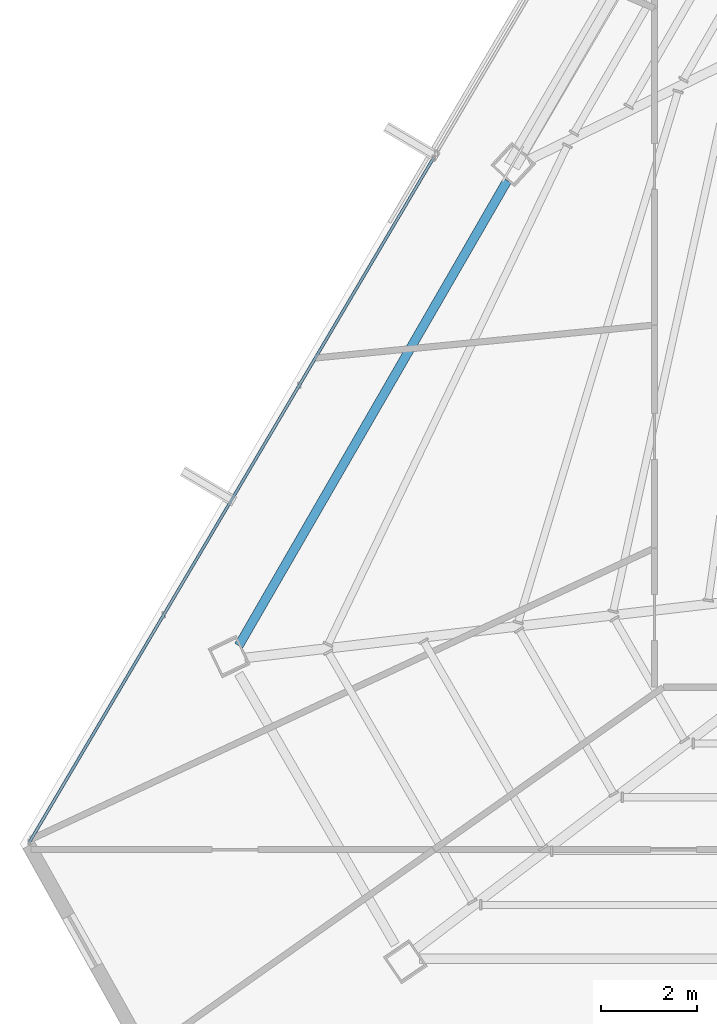
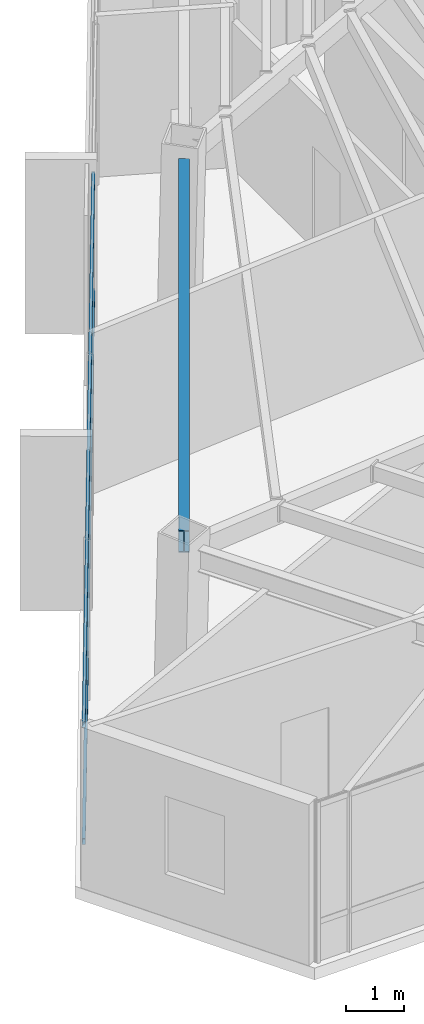
# One storey, part 8 of 45: 2 members, 1 beam, 1 element without a shape of its own.
"""IFC4 building model written with IfcOpenShell, lengths in metres."""

from ifc_helpers import new_model, si_unit, direction, frame, origin, origin_2d, place, context, subcontext, project, spatial, hollow_rectangle, i_section, extrude, source, transform, mapped, material, material_profile, profile_set, type_object, type_shapes, element, aggregate, save


model = new_model("IFC4")

# Units and contexts
model_context = context("Model", 3, precision=1e-05, world=origin(), true_north=direction((0.0, 1.0)))
body_context = subcontext(model_context, "Body", "Model", "MODEL_VIEW")
ifc_project = project(units=[si_unit("LENGTHUNIT", "METRE"), si_unit("AREAUNIT", "SQUARE_METRE"), si_unit("VOLUMEUNIT", "CUBIC_METRE"), si_unit("PLANEANGLEUNIT", "RADIAN"), si_unit("MASSUNIT", "GRAM", prefix="KILO")], contexts=[model_context])

# Site, building, storey
site_placement = place(None, origin())
site = spatial("IfcSite", under=ifc_project, at=site_placement, CompositionType="ELEMENT")
building_placement = place(site_placement, origin())
building = spatial("IfcBuilding", under=site, at=building_placement, Name="Caelisora Broadcast Tower", CompositionType="ELEMENT")
storey_placement = place(building_placement, frame((0.0, 0.0, 262.699951171875)))
storey = spatial("IfcBuildingStorey", under=building, at=storey_placement, Name="L69", CompositionType="ELEMENT", Elevation=262.699951171875)

# Beam
ifc_material_1 = material(Name="Steel Grade 350 (AS/NZS 3679.1)", Category="steel")
ifc_material_profile_1 = material_profile(ifc_material_1, i_section(OverallWidth=0.19091796875, OverallDepth=0.46044921875, WebThickness=0.010009765625, FlangeThickness=0.01611328125, at=origin_2d()), Name="Steel Grade 350 (AS/NZS 3679.1)")
ifc_profile_set_1 = profile_set([ifc_material_profile_1], Name="Steel Grade 350 (AS/NZS 3679.1)")
beam_type = type_object("IfcBeamType", Name="PG06", PredefinedType="BEAM", material=ifc_profile_set_1)
shared_shape_1 = source(origin(), body_context, "Body", "SweptSolid", [
    extrude(i_section(OverallWidth=0.19091796875, OverallDepth=0.46044921875, WebThickness=0.010009765625, FlangeThickness=0.01611328125, at=origin_2d()), origin(), (0.0, 0.0, 1.0), 11.22265625),
])
type_shapes(beam_type, [shared_shape_1])
beam_placement = place(storey_placement, frame((22.32421875, 25.79052734375, 3.169921875), z_axis=(-0.500004293243, -0.866022925065, 0.0), x_axis=(0.866022925065, -0.500004293243, 0.0)))
element("IfcBeam", 1, at=beam_placement, inside=storey, type_object=beam_type, Name="L69 beam PG06", PredefinedType="BEAM", context=body_context, shape_type="MappedRepresentation", body=[
    mapped(shared_shape_1, transform((0.0, 0.0, 0.0), scale=1.0)),
])

# Curtain wall, members
ifc_material_2 = material(Name="Unitised Aluminium and Low-E Glass Curtain Wall", Category="glass")
curtain_wall_type = type_object("IfcCurtainWallType", Name="CW-Z5", PredefinedType="NOTDEFINED", material=ifc_material_2)
curtain_wall_placement = place(storey_placement, origin())
curtain_wall = element("IfcCurtainWall", 2, at=curtain_wall_placement, inside=storey, type_object=curtain_wall_type, Name="L69 curtain wall CW-Z5", PredefinedType="NOTDEFINED")
ifc_material_3 = material(Name="Aluminium 6063-T6 Anodised Terracotta Bronze", Category="aluminium")
ifc_material_profile_2 = material_profile(ifc_material_3, hollow_rectangle(XDim=0.06005859375, YDim=0.1201171875, WallThickness=0.0029296875, at=origin_2d()), Name="Aluminium 6063-T6 Anodised Terracotta Bronze")
ifc_profile_set_2 = profile_set([ifc_material_profile_2], Name="Aluminium 6063-T6 Anodised Terracotta Bronze")
member_type = type_object("IfcMemberType", Name="CWT-03", PredefinedType="USERDEFINED", material=ifc_profile_set_2)
shared_shape_2 = source(origin(), body_context, "Body", "SweptSolid", [
    extrude(hollow_rectangle(XDim=0.06005859375, YDim=0.1201171875, WallThickness=0.0029296875, at=origin_2d()), origin(), (0.0, 0.0, 1.0), 16.604248046875),
])
type_shapes(member_type, [shared_shape_2])
member_1_placement = place(storey_placement, frame((12.34033203125, 11.966064453125, 0.85009765625), z_axis=(0.508508854229, 0.861056760714, 0.0), x_axis=(-0.861056760714, 0.508508854229, 0.0)))
member_1 = element("IfcMember", 3, at=member_1_placement, type_object=member_type, Name="L69-CW-B09 transom #1", ObjectType="TRANSOM", PredefinedType="USERDEFINED", context=body_context, shape_type="MappedRepresentation", body=[
    mapped(shared_shape_2, transform((0.0, 0.0, 0.0), scale=1.0)),
])
member_2_placement = place(storey_placement, frame((12.34033203125, 11.966064453125, 3.320068359375), z_axis=(0.508508854229, 0.861056760714, 0.0), x_axis=(-0.861056760714, 0.508508854229, 0.0)))
member_2 = element("IfcMember", 4, at=member_2_placement, type_object=member_type, Name="L69-CW-B09 transom #2", ObjectType="TRANSOM", PredefinedType="USERDEFINED", context=body_context, shape_type="MappedRepresentation", body=[
    mapped(shared_shape_2, transform((0.0, 0.0, 0.0), scale=1.0)),
])
aggregate(curtain_wall, [member_1, member_2])

save(model, "model.ifc")
